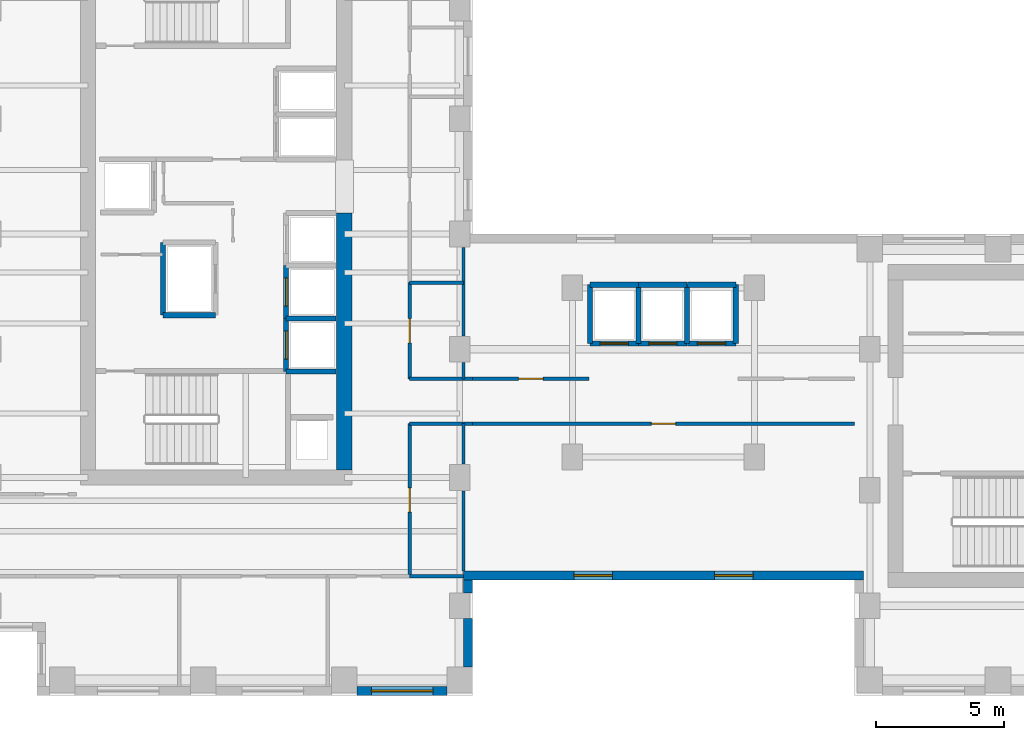
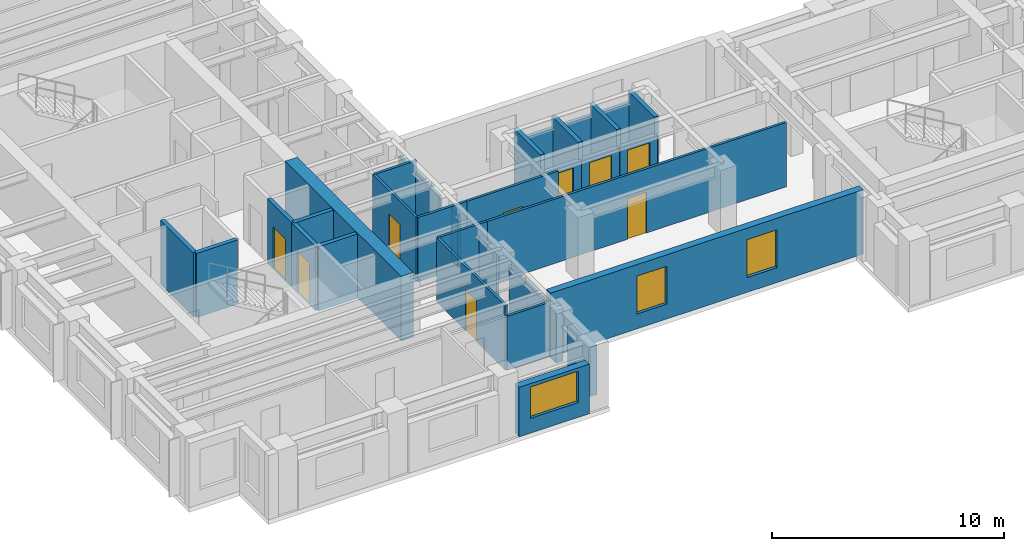
# One storey, part 5 of 13: 33 walls, 9 doors, 3 windows, 12 openings.
"""IFC4 building model written with IfcOpenShell, lengths in metres."""

from ifc_helpers import new_model, si_unit, direction, frame, frame_2d, origin, place, context, subcontext, project, spatial, rectangle, extrude, source, transform, mapped, material, layer, layer_set, type_object, element, fill, save


model = new_model("IFC4")

# Units and contexts
model_context = context("Model", 3, precision=1e-05, world=origin(), true_north=direction((0.0, 1.0)))
body_context = subcontext(model_context, "Body", "Model", "MODEL_VIEW")
ifc_project = project(units=[si_unit("LENGTHUNIT", "METRE"), si_unit("AREAUNIT", "SQUARE_METRE"), si_unit("VOLUMEUNIT", "CUBIC_METRE"), si_unit("PLANEANGLEUNIT", "RADIAN"), si_unit("MASSUNIT", "GRAM", prefix="KILO")], contexts=[model_context])

# Site, building, storey
site_placement = place(None, origin())
site = spatial("IfcSite", under=ifc_project, at=site_placement, CompositionType="ELEMENT")
building_placement = place(site_placement, origin())
building = spatial("IfcBuilding", under=site, at=building_placement, Name="Kharzan Plaza Tower", CompositionType="ELEMENT")
storey_placement = place(building_placement, frame((0.0, 0.0, 143.10009765625)))
storey = spatial("IfcBuildingStorey", under=building, at=storey_placement, Name="L38", CompositionType="ELEMENT", Elevation=143.10009765625)

# Wall, opening, window
ifc_material_1 = material(Name="Concrete C40/50", Category="concrete")
ifc_layer_1 = layer(ifc_material_1, 0.35009765625)
ifc_layer_set_1 = layer_set([ifc_layer_1], Name="Concrete C40/50")
wall_type_1 = type_object("IfcWallType", Name="WL-EXT-MAS-Z3", PredefinedType="SOLIDWALL", material=ifc_layer_set_1)
wall_1_placement = place(storey_placement, frame((14.998046875, 0.175048828125, 0.0), z_axis=(0.0, 0.0, 1.0), x_axis=(1.0, 0.0, 0.0)))
wall_1 = element("IfcWall", 1, at=wall_1_placement, inside=storey, type_object=wall_type_1, Name="L38 Masonry-Frame Exterior Wall 24", PredefinedType="SOLIDWALL", context=body_context, shape_type="SweptSolid", body=[
    extrude(rectangle(XDim=3.50390625, YDim=0.35009765625, at=frame_2d((1.751953125, 0.0))), origin(), (0.0, 0.0, 1.0), 2.61181640625),
])
opening_1_placement = place(wall_1_placement, frame((0.552001953125, 0.0, 0.780029296875)))
opening_1 = element("IfcOpeningElement", 2, at=opening_1_placement, cuts=wall_1, Name="Opening W2", PredefinedType="OPENING", context=body_context, shape_type="SweptSolid", body=[
    extrude(rectangle(XDim=2.39990234375, YDim=1.652099609375, at=frame_2d((1.199951171875, 0.826171875))), frame((0.0, 0.18505859375, 0.0), z_axis=(0.0, -1.0, 0.0), x_axis=(1.0, 0.0, 0.0)), (0.0, 0.0, 1.0), 0.3701171875),
])
ifc_material_2 = material(Name="Low-E Double Glazing", Category="glass")
window_type_1 = type_object("IfcWindowType", Name="WN-REC-2400x2100", PartitioningType="SINGLE_PANEL", PredefinedType="WINDOW", material=ifc_material_2)
shared_shape_1 = source(origin(), body_context, "Body", "SweptSolid", [
    extrude(rectangle(XDim=2.39990234375, YDim=1.652099609375, at=frame_2d((1.199951171875, 0.826171875))), frame((0.0, 0.030029296875, 0.0), z_axis=(0.0, -1.0, 0.0), x_axis=(1.0, 0.0, 0.0)), (0.0, 0.0, 1.0), 0.06005859375),
])
window_1_placement = place(opening_1_placement, origin())
window_1 = element("IfcWindow", 3, at=window_1_placement, inside=storey, type_object=window_type_1, Name="L38 Wide Recessed Solar-Control Window 24-1", OverallHeight=1.652099609375, OverallWidth=2.39990234375, PartitioningType="SINGLE_PANEL", PredefinedType="WINDOW", context=body_context, shape_type="MappedRepresentation", body=[
    mapped(shared_shape_1, transform((0.0, 0.0, 0.0), x_axis=(1.0, 0.0, 0.0), y_axis=(0.0, 1.0, 0.0), z_axis=(0.0, 0.0, 1.0))),
])
fill(opening_1, window_1)

# Wall, openings, windows
wall_2_placement = place(storey_placement, frame((19.14990234375, 4.675048828125, 0.0), z_axis=(0.0, 0.0, 1.0), x_axis=(1.0, 0.0, 0.0)))
wall_2 = element("IfcWall", 4, at=wall_2_placement, inside=storey, type_object=wall_type_1, Name="L38 Masonry-Frame Exterior Wall 27", PredefinedType="SOLIDWALL", context=body_context, shape_type="SweptSolid", body=[
    extrude(rectangle(XDim=15.60009765625, YDim=0.35009765625, at=frame_2d((7.800048828125, 0.0))), origin(), (0.0, 0.0, 1.0), 3.385009765625),
])
opening_2_placement = place(wall_2_placement, frame((4.306640625, 0.0, 0.780029296875)))
opening_2 = element("IfcOpeningElement", 5, at=opening_2_placement, cuts=wall_2, Name="Opening W5", PredefinedType="OPENING", context=body_context, shape_type="SweptSolid", body=[
    extrude(rectangle(XDim=1.5, YDim=2.0, at=frame_2d((0.75, 1.0))), frame((0.0, 0.18505859375, 0.0), z_axis=(0.0, -1.0, 0.0), x_axis=(1.0, 0.0, 0.0)), (0.0, 0.0, 1.0), 0.3701171875),
])
opening_3_placement = place(wall_2_placement, frame((9.793212890625, 0.0, 0.780029296875)))
opening_3 = element("IfcOpeningElement", 6, at=opening_3_placement, cuts=wall_2, Name="Opening W5", PredefinedType="OPENING", context=body_context, shape_type="SweptSolid", body=[
    extrude(rectangle(XDim=1.5, YDim=2.0, at=frame_2d((0.75, 1.0))), frame((0.0, 0.18505859375, 0.0), z_axis=(0.0, -1.0, 0.0), x_axis=(1.0, 0.0, 0.0)), (0.0, 0.0, 1.0), 0.3701171875),
])
window_type_2 = type_object("IfcWindowType", Name="WN-SLT-1500x2000", PartitioningType="SINGLE_PANEL", PredefinedType="WINDOW", material=ifc_material_2)
shared_shape_2 = source(origin(), body_context, "Body", "SweptSolid", [
    extrude(rectangle(XDim=1.5, YDim=2.0, at=frame_2d((0.75, 1.0))), frame((0.0, 0.030029296875, 0.0), z_axis=(0.0, -1.0, 0.0), x_axis=(1.0, 0.0, 0.0)), (0.0, 0.0, 1.0), 0.06005859375),
])
window_2_placement = place(opening_2_placement, origin())
window_2 = element("IfcWindow", 7, at=window_2_placement, inside=storey, type_object=window_type_2, Name="L38 Recessed Solar-Control Window 27-1", OverallHeight=2.0, OverallWidth=1.5, PartitioningType="SINGLE_PANEL", PredefinedType="WINDOW", context=body_context, shape_type="MappedRepresentation", body=[
    mapped(shared_shape_2, transform((0.0, 0.0, 0.0), x_axis=(1.0, 0.0, 0.0), y_axis=(0.0, 1.0, 0.0), z_axis=(0.0, 0.0, 1.0))),
])
fill(opening_2, window_2)
window_3_placement = place(opening_3_placement, origin())
window_3 = element("IfcWindow", 8, at=window_3_placement, inside=storey, type_object=window_type_2, Name="L38 Recessed Solar-Control Window 27-2", OverallHeight=2.0, OverallWidth=1.5, PartitioningType="SINGLE_PANEL", PredefinedType="WINDOW", context=body_context, shape_type="MappedRepresentation", body=[
    mapped(shared_shape_2, transform((0.0, 0.0, 0.0), x_axis=(1.0, 0.0, 0.0), y_axis=(0.0, 1.0, 0.0), z_axis=(0.0, 0.0, 1.0))),
])
fill(opening_3, window_3)

# Wall, opening, door
ifc_material_3 = material(Name="Fire-Rated Gypsum Board Partition", Category="gypsum")
ifc_layer_2 = layer(ifc_material_3, 0.125)
ifc_layer_set_2 = layer_set([ifc_layer_2], Name="Fire-Rated Gypsum Board Partition")
wall_type_2 = type_object("IfcWallType", Name="WL-INT-PART-125", PredefinedType="PARTITIONING", material=ifc_layer_set_2)
wall_3_placement = place(storey_placement, frame((17.050048828125, 12.35009765625, 0.0), z_axis=(0.0, 0.0, 1.0), x_axis=(0.0, 1.0, 0.0)))
wall_3 = element("IfcWall", 9, at=wall_3_placement, inside=storey, type_object=wall_type_2, Name="L38 Interior Partition SH-AEWN1", PredefinedType="PARTITIONING", context=body_context, shape_type="SweptSolid", body=[
    extrude(rectangle(XDim=3.75, YDim=0.125, at=frame_2d((1.875, 0.0))), origin(), (0.0, 0.0, 1.0), 3.385009765625),
])
opening_4_placement = place(wall_3_placement, frame((1.39990234375, 0.0, 0.0)))
opening_4 = element("IfcOpeningElement", 10, at=opening_4_placement, cuts=wall_3, Name="Opening OD1", PredefinedType="OPENING", context=body_context, shape_type="SweptSolid", body=[
    extrude(rectangle(XDim=0.949951171875, YDim=2.14990234375, at=frame_2d((0.47509765625, 1.074951171875))), frame((0.0, 0.072509765625, 0.0), z_axis=(0.0, -1.0, 0.0), x_axis=(1.0, 0.0, 0.0)), (0.0, 0.0, 1.0), 0.14501953125),
])
ifc_material_4 = material(Name="Acoustic Solid-Core Stained Oak", Category="timber")
door_type_1 = type_object("IfcDoorType", Name="DR-OFF-SINGLE", OperationType="NOTDEFINED", PredefinedType="DOOR", material=ifc_material_4)
shared_shape_3 = source(origin(), body_context, "Body", "SweptSolid", [
    extrude(rectangle(XDim=0.949951171875, YDim=2.14990234375, at=frame_2d((0.47509765625, 1.074951171875))), frame((0.0, 0.02490234375, 0.0), z_axis=(0.0, -1.0, 0.0), x_axis=(1.0, 0.0, 0.0)), (0.0, 0.0, 1.0), 0.050048828125),
])
door_1_placement = place(opening_4_placement, origin())
door_1 = element("IfcDoor", 11, at=door_1_placement, inside=storey, type_object=door_type_1, Name="L38 Slot Collaboration Door", OperationType="SINGLE_SWING_RIGHT", OverallHeight=2.14990234375, OverallWidth=0.949951171875, PredefinedType="DOOR", context=body_context, shape_type="MappedRepresentation", body=[
    mapped(shared_shape_3, transform((0.0, 0.0, 0.0), x_axis=(1.0, 0.0, 0.0), y_axis=(0.0, 1.0, 0.0), z_axis=(0.0, 0.0, 1.0))),
])
fill(opening_4, door_1)

wall_4_placement = place(storey_placement, frame((17.050048828125, 4.64990234375, 0.0), z_axis=(0.0, 0.0, 1.0), x_axis=(0.0, 1.0, 0.0)))
wall_4 = element("IfcWall", 12, at=wall_4_placement, inside=storey, type_object=wall_type_2, Name="L38 Interior Partition SH-AEWS", PredefinedType="PARTITIONING", context=body_context, shape_type="SweptSolid", body=[
    extrude(rectangle(XDim=5.9501953125, YDim=0.125, at=frame_2d((2.97509765625, 0.0))), origin(), (0.0, 0.0, 1.0), 3.385009765625),
])
opening_5_placement = place(wall_4_placement, frame((2.5, 0.0, 0.0)))
opening_5 = element("IfcOpeningElement", 13, at=opening_5_placement, cuts=wall_4, Name="Opening OD1", PredefinedType="OPENING", context=body_context, shape_type="SweptSolid", body=[
    extrude(rectangle(XDim=0.949951171875, YDim=2.14990234375, at=frame_2d((0.47509765625, 1.074951171875))), frame((0.0, 0.072509765625, 0.0), z_axis=(0.0, -1.0, 0.0), x_axis=(1.0, 0.0, 0.0)), (0.0, 0.0, 1.0), 0.14501953125),
])
door_2_placement = place(opening_5_placement, origin())
door_2 = element("IfcDoor", 14, at=door_2_placement, inside=storey, type_object=door_type_1, Name="L38 Slot South Office Door", OperationType="SINGLE_SWING_LEFT", OverallHeight=2.14990234375, OverallWidth=0.949951171875, PredefinedType="DOOR", context=body_context, shape_type="MappedRepresentation", body=[
    mapped(shared_shape_3, transform((0.0, 0.0, 0.0), x_axis=(1.0, 0.0, 0.0), y_axis=(0.0, 1.0, 0.0), z_axis=(0.0, 0.0, 1.0))),
])
fill(opening_5, door_2)

wall_5_placement = place(storey_placement, frame((19.5, 12.35009765625, 0.0), z_axis=(0.0, 0.0, 1.0), x_axis=(1.0, 0.0, 0.0)))
wall_5 = element("IfcWall", 15, at=wall_5_placement, inside=storey, type_object=wall_type_2, Name="L38 Interior Partition SH-SPNW1", PredefinedType="PARTITIONING", context=body_context, shape_type="SweptSolid", body=[
    extrude(rectangle(XDim=4.550048828125, YDim=0.125, at=frame_2d((2.27490234375, 0.0))), origin(), (0.0, 0.0, 1.0), 3.385009765625),
])
opening_6_placement = place(wall_5_placement, frame((1.800048828125, 0.0, 0.0)))
opening_6 = element("IfcOpeningElement", 16, at=opening_6_placement, cuts=wall_5, Name="Opening OD1", PredefinedType="OPENING", context=body_context, shape_type="SweptSolid", body=[
    extrude(rectangle(XDim=0.949951171875, YDim=2.14990234375, at=frame_2d((0.47509765625, 1.074951171875))), frame((0.0, 0.072509765625, 0.0), z_axis=(0.0, -1.0, 0.0), x_axis=(1.0, 0.0, 0.0)), (0.0, 0.0, 1.0), 0.14501953125),
])
door_3_placement = place(opening_6_placement, origin())
door_3 = element("IfcDoor", 17, at=door_3_placement, inside=storey, type_object=door_type_1, Name="L38 North-West Spine Door", OperationType="SINGLE_SWING_LEFT", OverallHeight=2.14990234375, OverallWidth=0.949951171875, PredefinedType="DOOR", context=body_context, shape_type="MappedRepresentation", body=[
    mapped(shared_shape_3, transform((0.0, 0.0, 0.0), x_axis=(1.0, 0.0, 0.0), y_axis=(0.0, 1.0, 0.0), z_axis=(0.0, 0.0, 1.0))),
])
fill(opening_6, door_3)

wall_6_placement = place(storey_placement, frame((19.5, 10.60009765625, 0.0), z_axis=(0.0, 0.0, 1.0), x_axis=(1.0, 0.0, 0.0)))
wall_6 = element("IfcWall", 18, at=wall_6_placement, inside=storey, type_object=wall_type_2, Name="L38 Interior Partition SH-SPS1", PredefinedType="PARTITIONING", context=body_context, shape_type="SweptSolid", body=[
    extrude(rectangle(XDim=14.89990234375, YDim=0.125, at=frame_2d((7.449951171875, 0.0))), origin(), (0.0, 0.0, 1.0), 3.385009765625),
])
opening_7_placement = place(wall_6_placement, frame((6.97509765625, 0.0, 0.0)))
opening_7 = element("IfcOpeningElement", 19, at=opening_7_placement, cuts=wall_6, Name="Opening OD1", PredefinedType="OPENING", context=body_context, shape_type="SweptSolid", body=[
    extrude(rectangle(XDim=0.949951171875, YDim=2.14990234375, at=frame_2d((0.47509765625, 1.074951171875))), frame((0.0, 0.072509765625, 0.0), z_axis=(0.0, -1.0, 0.0), x_axis=(1.0, 0.0, 0.0)), (0.0, 0.0, 1.0), 0.14501953125),
])
door_4_placement = place(opening_7_placement, origin())
door_4 = element("IfcDoor", 20, at=door_4_placement, inside=storey, type_object=door_type_1, Name="L38 South Spine Studio Door", OperationType="SINGLE_SWING_RIGHT", OverallHeight=2.14990234375, OverallWidth=0.949951171875, PredefinedType="DOOR", context=body_context, shape_type="MappedRepresentation", body=[
    mapped(shared_shape_3, transform((0.0, 0.0, 0.0), x_axis=(1.0, 0.0, 0.0), y_axis=(0.0, 1.0, 0.0), z_axis=(0.0, 0.0, 1.0))),
])
fill(opening_7, door_4)

ifc_layer_3 = layer(ifc_material_1, 0.199951171875)
ifc_layer_set_3 = layer_set([ifc_layer_3], Name="Concrete C40/50")
wall_type_3 = type_object("IfcWallType", Name="WL-INT-SHAFT-200", PredefinedType="PARTITIONING", material=ifc_layer_set_3)
wall_7_placement = place(storey_placement, frame((12.22998046875, 12.6298828125, 0.0), z_axis=(0.0, 0.0, 1.0), x_axis=(0.0, 1.0, 0.0)))
wall_7 = element("IfcWall", 21, at=wall_7_placement, inside=storey, type_object=wall_type_3, Name="L38 Interior Partition SHF-PL-H1-W", PredefinedType="PARTITIONING", context=body_context, shape_type="SweptSolid", body=[
    extrude(rectangle(XDim=2.070068359375, YDim=0.199951171875, at=frame_2d((1.03515625, 0.0))), origin(), (0.0, 0.0, 1.0), 3.385009765625),
])
opening_8_placement = place(wall_7_placement, frame((0.485107421875, 0.0, 0.0)))
opening_8 = element("IfcOpeningElement", 22, at=opening_8_placement, cuts=wall_7, Name="Opening LD", PredefinedType="OPENING", context=body_context, shape_type="SweptSolid", body=[
    extrude(rectangle(XDim=1.10009765625, YDim=2.199951171875, at=frame_2d((0.550048828125, 1.10009765625))), frame((0.0, 0.10986328125, 0.0), z_axis=(0.0, -1.0, 0.0), x_axis=(1.0, 0.0, 0.0)), (0.0, 0.0, 1.0), 0.219970703125),
])
ifc_material_5 = material(Name="Brushed Stainless Steel", Category="steel")
door_type_2 = type_object("IfcDoorType", Name="DR-LIFT-SLIDE", OperationType="SLIDING_TO_LEFT", PredefinedType="DOOR", material=ifc_material_5)
shared_shape_4 = source(origin(), body_context, "Body", "SweptSolid", [
    extrude(rectangle(XDim=1.10009765625, YDim=2.199951171875, at=frame_2d((0.550048828125, 1.10009765625))), frame((0.0, 0.02490234375, 0.0), z_axis=(0.0, -1.0, 0.0), x_axis=(1.0, 0.0, 0.0)), (0.0, 0.0, 1.0), 0.050048828125),
])
door_5_placement = place(opening_8_placement, origin())
door_5 = element("IfcDoor", 23, at=door_5_placement, inside=storey, type_object=door_type_2, Name="L38 High-Rise Passenger Lift PL-H1 Sliding Landing Door", OperationType="SLIDING_TO_LEFT", OverallHeight=2.199951171875, OverallWidth=1.10009765625, PredefinedType="DOOR", context=body_context, shape_type="MappedRepresentation", body=[
    mapped(shared_shape_4, transform((0.0, 0.0, 0.0), x_axis=(1.0, 0.0, 0.0), y_axis=(0.0, 1.0, 0.0), z_axis=(0.0, 0.0, 1.0))),
])
fill(opening_8, door_5)

wall_8_placement = place(storey_placement, frame((12.22998046875, 14.699951171875, 0.0), z_axis=(0.0, 0.0, 1.0), x_axis=(0.0, 1.0, 0.0)))
wall_8 = element("IfcWall", 24, at=wall_8_placement, inside=storey, type_object=wall_type_3, Name="L38 Interior Partition SHF-PL-H2-W", PredefinedType="PARTITIONING", context=body_context, shape_type="SweptSolid", body=[
    extrude(rectangle(XDim=2.070068359375, YDim=0.199951171875, at=frame_2d((1.03515625, 0.0))), origin(), (0.0, 0.0, 1.0), 3.385009765625),
])
opening_9_placement = place(wall_8_placement, frame((0.485107421875, 0.0, 0.0)))
opening_9 = element("IfcOpeningElement", 25, at=opening_9_placement, cuts=wall_8, Name="Opening LD", PredefinedType="OPENING", context=body_context, shape_type="SweptSolid", body=[
    extrude(rectangle(XDim=1.10009765625, YDim=2.199951171875, at=frame_2d((0.550048828125, 1.10009765625))), frame((0.0, 0.10986328125, 0.0), z_axis=(0.0, -1.0, 0.0), x_axis=(1.0, 0.0, 0.0)), (0.0, 0.0, 1.0), 0.219970703125),
])
door_6_placement = place(opening_9_placement, origin())
door_6 = element("IfcDoor", 26, at=door_6_placement, inside=storey, type_object=door_type_2, Name="L38 High-Rise Passenger Lift PL-H2 Sliding Landing Door", OperationType="SLIDING_TO_LEFT", OverallHeight=2.199951171875, OverallWidth=1.10009765625, PredefinedType="DOOR", context=body_context, shape_type="MappedRepresentation", body=[
    mapped(shared_shape_4, transform((0.0, 0.0, 0.0), x_axis=(1.0, 0.0, 0.0), y_axis=(0.0, 1.0, 0.0), z_axis=(0.0, 0.0, 1.0))),
])
fill(opening_9, door_6)

wall_9_placement = place(storey_placement, frame((24.080078125, 13.72998046875, 0.0), z_axis=(0.0, 0.0, 1.0), x_axis=(1.0, 0.0, 0.0)))
wall_9 = element("IfcWall", 27, at=wall_9_placement, inside=storey, type_object=wall_type_3, Name="L38 Interior Partition SHF-PL-M1-S", PredefinedType="PARTITIONING", context=body_context, shape_type="SweptSolid", body=[
    extrude(rectangle(XDim=1.889892578125, YDim=0.199951171875, at=frame_2d((0.94482421875, 0.0))), origin(), (0.0, 0.0, 1.0), 2.4658203125),
])
opening_10_placement = place(wall_9_placement, frame((0.39501953125, 0.0, 0.0)))
opening_10 = element("IfcOpeningElement", 28, at=opening_10_placement, cuts=wall_9, Name="Opening LD", PredefinedType="OPENING", context=body_context, shape_type="SweptSolid", body=[
    extrude(rectangle(XDim=1.10009765625, YDim=2.199951171875, at=frame_2d((0.550048828125, 1.10009765625))), frame((0.0, 0.10986328125, 0.0), z_axis=(0.0, -1.0, 0.0), x_axis=(1.0, 0.0, 0.0)), (0.0, 0.0, 1.0), 0.219970703125),
])
door_7_placement = place(opening_10_placement, origin())
door_7 = element("IfcDoor", 29, at=door_7_placement, inside=storey, type_object=door_type_2, Name="L38 Mid-Rise Passenger Lift PL-M1 Sliding Landing Door", OperationType="SLIDING_TO_LEFT", OverallHeight=2.199951171875, OverallWidth=1.10009765625, PredefinedType="DOOR", context=body_context, shape_type="MappedRepresentation", body=[
    mapped(shared_shape_4, transform((0.0, 0.0, 0.0), x_axis=(1.0, 0.0, 0.0), y_axis=(0.0, 1.0, 0.0), z_axis=(0.0, 0.0, 1.0))),
])
fill(opening_10, door_7)

wall_10_placement = place(storey_placement, frame((25.97998046875, 13.72998046875, 0.0), z_axis=(0.0, 0.0, 1.0), x_axis=(1.0, 0.0, 0.0)))
wall_10 = element("IfcWall", 30, at=wall_10_placement, inside=storey, type_object=wall_type_3, Name="L38 Interior Partition SHF-PL-M2-S", PredefinedType="PARTITIONING", context=body_context, shape_type="SweptSolid", body=[
    extrude(rectangle(XDim=1.89013671875, YDim=0.199951171875, at=frame_2d((0.945068359375, 0.0))), origin(), (0.0, 0.0, 1.0), 2.4658203125),
])
opening_11_placement = place(wall_10_placement, frame((0.39501953125, 0.0, 0.0)))
opening_11 = element("IfcOpeningElement", 31, at=opening_11_placement, cuts=wall_10, Name="Opening LD", PredefinedType="OPENING", context=body_context, shape_type="SweptSolid", body=[
    extrude(rectangle(XDim=1.10009765625, YDim=2.199951171875, at=frame_2d((0.550048828125, 1.10009765625))), frame((0.0, 0.10986328125, 0.0), z_axis=(0.0, -1.0, 0.0), x_axis=(1.0, 0.0, 0.0)), (0.0, 0.0, 1.0), 0.219970703125),
])
door_8_placement = place(opening_11_placement, origin())
door_8 = element("IfcDoor", 32, at=door_8_placement, inside=storey, type_object=door_type_2, Name="L38 Mid-Rise Passenger Lift PL-M2 Sliding Landing Door", OperationType="SLIDING_TO_LEFT", OverallHeight=2.199951171875, OverallWidth=1.10009765625, PredefinedType="DOOR", context=body_context, shape_type="MappedRepresentation", body=[
    mapped(shared_shape_4, transform((0.0, 0.0, 0.0), x_axis=(1.0, 0.0, 0.0), y_axis=(0.0, 1.0, 0.0), z_axis=(0.0, 0.0, 1.0))),
])
fill(opening_11, door_8)

wall_11_placement = place(storey_placement, frame((27.8798828125, 13.72998046875, 0.0), z_axis=(0.0, 0.0, 1.0), x_axis=(1.0, 0.0, 0.0)))
wall_11 = element("IfcWall", 33, at=wall_11_placement, inside=storey, type_object=wall_type_3, Name="L38 Interior Partition SHF-PL-M3-S", PredefinedType="PARTITIONING", context=body_context, shape_type="SweptSolid", body=[
    extrude(rectangle(XDim=1.89013671875, YDim=0.199951171875, at=frame_2d((0.945068359375, 0.0))), origin(), (0.0, 0.0, 1.0), 2.4658203125),
])
opening_12_placement = place(wall_11_placement, frame((0.39501953125, 0.0, 0.0)))
opening_12 = element("IfcOpeningElement", 34, at=opening_12_placement, cuts=wall_11, Name="Opening LD", PredefinedType="OPENING", context=body_context, shape_type="SweptSolid", body=[
    extrude(rectangle(XDim=1.10009765625, YDim=2.199951171875, at=frame_2d((0.550048828125, 1.10009765625))), frame((0.0, 0.10986328125, 0.0), z_axis=(0.0, -1.0, 0.0), x_axis=(1.0, 0.0, 0.0)), (0.0, 0.0, 1.0), 0.219970703125),
])
door_9_placement = place(opening_12_placement, origin())
door_9 = element("IfcDoor", 35, at=door_9_placement, inside=storey, type_object=door_type_2, Name="L38 Mid-Rise Passenger Lift PL-M3 Sliding Landing Door", OperationType="SLIDING_TO_LEFT", OverallHeight=2.199951171875, OverallWidth=1.10009765625, PredefinedType="DOOR", context=body_context, shape_type="MappedRepresentation", body=[
    mapped(shared_shape_4, transform((0.0, 0.0, 0.0), x_axis=(1.0, 0.0, 0.0), y_axis=(0.0, 1.0, 0.0), z_axis=(0.0, 0.0, 1.0))),
])
fill(opening_12, door_9)

# Walls
ifc_material_6 = material(Name="Concrete C50/60", Category="concrete")
ifc_layer_4 = layer(ifc_material_6, 0.60009765625)
ifc_layer_set_4 = layer_set([ifc_layer_4], Name="Concrete C50/60")
wall_type_4 = type_object("IfcWallType", Name="WL-CORE-600", PredefinedType="SHEAR", material=ifc_layer_set_4)
shared_shape_5 = source(origin(), body_context, "Body", "SweptSolid", [
    extrude(rectangle(XDim=10.02001953125, YDim=0.60009765625, at=frame_2d((5.010009765625, 0.0))), origin(), (0.0, 0.0, 1.0), 3.39990234375),
])
wall_12_placement = place(storey_placement, frame((14.5, 8.800048828125, 0.0), z_axis=(0.0, 0.0, 1.0), x_axis=(0.0, 1.0, 0.0)))
element("IfcWall", 36, at=wall_12_placement, inside=storey, type_object=wall_type_4, Name="L38 CORE-A east shear pier 1", PredefinedType="SHEAR", context=body_context, shape_type="MappedRepresentation", body=[
    mapped(shared_shape_5, transform((0.0, 0.0, 0.0), x_axis=(1.0, 0.0, 0.0), y_axis=(0.0, 1.0, 0.0), z_axis=(0.0, 0.0, 1.0))),
])
shared_shape_6 = source(origin(), body_context, "Body", "SweptSolid", [
    extrude(rectangle(XDim=1.904052734375, YDim=0.35009765625, at=frame_2d((0.9521484375, 0.0))), origin(), (0.0, 0.0, 1.0), 2.61181640625),
])
wall_13_placement = place(storey_placement, frame((19.324951171875, 1.097900390625, 0.0), z_axis=(0.0, 0.0, 1.0), x_axis=(0.0, 1.0, 0.0)))
element("IfcWall", 37, at=wall_13_placement, inside=storey, type_object=wall_type_1, Name="L38 Masonry-Frame Exterior Wall 25", PredefinedType="SOLIDWALL", context=body_context, shape_type="MappedRepresentation", body=[
    mapped(shared_shape_6, transform((0.0, 0.0, 0.0), x_axis=(1.0, 0.0, 0.0), y_axis=(0.0, 1.0, 0.0), z_axis=(0.0, 0.0, 1.0))),
])
shared_shape_7 = source(origin(), body_context, "Body", "SweptSolid", [
    extrude(rectangle(XDim=0.50390625, YDim=0.35009765625, at=frame_2d((0.251953125, 0.0))), origin(), (0.0, 0.0, 1.0), 2.77294921875),
])
wall_14_placement = place(storey_placement, frame((19.324951171875, 3.998046875, 0.0), z_axis=(0.0, 0.0, 1.0), x_axis=(0.0, 1.0, 0.0)))
element("IfcWall", 38, at=wall_14_placement, inside=storey, type_object=wall_type_1, Name="L38 Masonry-Frame Exterior Wall 26", PredefinedType="SOLIDWALL", context=body_context, shape_type="MappedRepresentation", body=[
    mapped(shared_shape_7, transform((0.0, 0.0, 0.0), x_axis=(1.0, 0.0, 0.0), y_axis=(0.0, 1.0, 0.0), z_axis=(0.0, 0.0, 1.0))),
])
shared_shape_8 = source(origin(), body_context, "Body", "SweptSolid", [
    extrude(rectangle(XDim=2.099853515625, YDim=0.125, at=frame_2d((1.0498046875, 0.0))), origin(), (0.0, 0.0, 1.0), 3.385009765625),
])
wall_15_placement = place(storey_placement, frame((17.050048828125, 16.10009765625, 0.0), z_axis=(0.0, 0.0, 1.0), x_axis=(1.0, 0.0, 0.0)))
element("IfcWall", 39, at=wall_15_placement, inside=storey, type_object=wall_type_2, Name="L38 Interior Partition SH-AEH-161", PredefinedType="PARTITIONING", context=body_context, shape_type="MappedRepresentation", body=[
    mapped(shared_shape_8, transform((0.0, 0.0, 0.0), x_axis=(1.0, 0.0, 0.0), y_axis=(0.0, 1.0, 0.0), z_axis=(0.0, 0.0, 1.0))),
])
shared_shape_9 = source(origin(), body_context, "Body", "SweptSolid", [
    extrude(rectangle(XDim=0.6298828125, YDim=0.125, at=frame_2d((0.31494140625, 0.0))), origin(), (0.0, 0.0, 1.0), 2.77294921875),
])
wall_16_placement = place(storey_placement, frame((19.14990234375, 12.35009765625, 0.0), z_axis=(0.0, 0.0, 1.0), x_axis=(0.0, 1.0, 0.0)))
element("IfcWall", 40, at=wall_16_placement, inside=storey, type_object=wall_type_2, Name="L38 Interior Partition SH-AEN-DIV-S1", PredefinedType="PARTITIONING", context=body_context, shape_type="MappedRepresentation", body=[
    mapped(shared_shape_9, transform((0.0, 0.0, 0.0), x_axis=(1.0, 0.0, 0.0), y_axis=(0.0, 1.0, 0.0), z_axis=(0.0, 0.0, 1.0))),
])
shared_shape_10 = source(origin(), body_context, "Body", "SweptSolid", [
    extrude(rectangle(XDim=3.4599609375, YDim=0.125, at=frame_2d((1.72998046875, 0.0))), origin(), (0.0, 0.0, 1.0), 2.77294921875),
])
wall_17_placement = place(storey_placement, frame((19.14990234375, 14.02001953125, 0.0), z_axis=(0.0, 0.0, 1.0), x_axis=(0.0, 1.0, 0.0)))
element("IfcWall", 41, at=wall_17_placement, inside=storey, type_object=wall_type_2, Name="L38 Interior Partition SH-AEN-DIV-S2", PredefinedType="PARTITIONING", context=body_context, shape_type="MappedRepresentation", body=[
    mapped(shared_shape_10, transform((0.0, 0.0, 0.0), x_axis=(1.0, 0.0, 0.0), y_axis=(0.0, 1.0, 0.0), z_axis=(0.0, 0.0, 1.0))),
])
shared_shape_11 = source(origin(), body_context, "Body", "SweptSolid", [
    extrude(rectangle(XDim=3.1279296875, YDim=0.125, at=frame_2d((1.56396484375, 0.0))), origin(), (0.0, 0.0, 1.0), 2.77294921875),
])
wall_18_placement = place(storey_placement, frame((19.14990234375, 4.85205078125, 0.0), z_axis=(0.0, 0.0, 1.0), x_axis=(0.0, 1.0, 0.0)))
element("IfcWall", 42, at=wall_18_placement, inside=storey, type_object=wall_type_2, Name="L38 Interior Partition SH-AESP-DIV-S1", PredefinedType="PARTITIONING", context=body_context, shape_type="MappedRepresentation", body=[
    mapped(shared_shape_11, transform((0.0, 0.0, 0.0), x_axis=(1.0, 0.0, 0.0), y_axis=(0.0, 1.0, 0.0), z_axis=(0.0, 0.0, 1.0))),
])
shared_shape_12 = source(origin(), body_context, "Body", "SweptSolid", [
    extrude(rectangle(XDim=1.580078125, YDim=0.125, at=frame_2d((0.7900390625, 0.0))), origin(), (0.0, 0.0, 1.0), 2.77294921875),
])
wall_19_placement = place(storey_placement, frame((19.14990234375, 9.02001953125, 0.0), z_axis=(0.0, 0.0, 1.0), x_axis=(0.0, 1.0, 0.0)))
element("IfcWall", 43, at=wall_19_placement, inside=storey, type_object=wall_type_2, Name="L38 Interior Partition SH-AESP-DIV-S2", PredefinedType="PARTITIONING", context=body_context, shape_type="MappedRepresentation", body=[
    mapped(shared_shape_12, transform((0.0, 0.0, 0.0), x_axis=(1.0, 0.0, 0.0), y_axis=(0.0, 1.0, 0.0), z_axis=(0.0, 0.0, 1.0))),
])
shared_shape_13 = source(origin(), body_context, "Body", "SweptSolid", [
    extrude(rectangle(XDim=2.449951171875, YDim=0.125, at=frame_2d((1.22509765625, 0.0))), origin(), (0.0, 0.0, 1.0), 3.385009765625),
])
for number, where, z_axis, x_axis, name in (
    (44, (17.050048828125, 12.35009765625, 0.0), (0.0, 0.0, 1.0), (1.0, 0.0, 0.0), "L38 Interior Partition SH-SPNW0"),
    (45, (17.050048828125, 10.60009765625, 0.0), (0.0, 0.0, 1.0), (1.0, 0.0, 0.0), "L38 Interior Partition SH-SPS0"),
):
    element("IfcWall", number, at=place(storey_placement, frame(where, z_axis=z_axis, x_axis=x_axis)), inside=storey, type_object=wall_type_2, Name=name, PredefinedType="PARTITIONING", context=body_context, shape_type="MappedRepresentation", body=[
        mapped(shared_shape_13, transform((0.0, 0.0, 0.0), x_axis=(1.0, 0.0, 0.0), y_axis=(0.0, 1.0, 0.0), z_axis=(0.0, 0.0, 1.0))),
    ])
shared_shape_14 = source(origin(), body_context, "Body", "SweptSolid", [
    extrude(rectangle(XDim=2.099853515625, YDim=0.125, at=frame_2d((1.0498046875, 0.0))), origin(), (0.0, 0.0, 1.0), 2.847900390625),
])
wall_20_placement = place(storey_placement, frame((17.050048828125, 4.64990234375, 0.0), z_axis=(0.0, 0.0, 1.0), x_axis=(1.0, 0.0, 0.0)))
element("IfcWall", 46, at=wall_20_placement, inside=storey, type_object=wall_type_2, Name="L38 Interior Partition SH-SSE-3", PredefinedType="PARTITIONING", context=body_context, shape_type="MappedRepresentation", body=[
    mapped(shared_shape_14, transform((0.0, 0.0, 0.0), x_axis=(1.0, 0.0, 0.0), y_axis=(0.0, 1.0, 0.0), z_axis=(0.0, 0.0, 1.0))),
])
shared_shape_15 = source(origin(), body_context, "Body", "SweptSolid", [
    extrude(rectangle(XDim=1.93994140625, YDim=0.199951171875, at=frame_2d((0.969970703125, 0.0))), origin(), (0.0, 0.0, 1.0), 3.385009765625),
])
for number, where, z_axis, x_axis, name in (
    (47, (12.22998046875, 14.699951171875, 0.0), (0.0, 0.0, 1.0), (1.0, 0.0, 0.0), "L38 Interior Partition SHF-PL-H1-N"),
    (48, (12.22998046875, 12.6298828125, 0.0), (0.0, 0.0, 1.0), (1.0, 0.0, 0.0), "L38 Interior Partition SHF-PL-H1-S"),
):
    element("IfcWall", number, at=place(storey_placement, frame(where, z_axis=z_axis, x_axis=x_axis)), inside=storey, type_object=wall_type_3, Name=name, PredefinedType="PARTITIONING", context=body_context, shape_type="MappedRepresentation", body=[
        mapped(shared_shape_15, transform((0.0, 0.0, 0.0), x_axis=(1.0, 0.0, 0.0), y_axis=(0.0, 1.0, 0.0), z_axis=(0.0, 0.0, 1.0))),
    ])
shared_shape_16 = source(origin(), body_context, "Body", "SweptSolid", [
    extrude(rectangle(XDim=2.2900390625, YDim=0.199951171875, at=frame_2d((1.14501953125, 0.0))), origin(), (0.0, 0.0, 1.0), 3.385009765625),
])
for number, where, z_axis, x_axis, name in (
    (49, (25.969970703125, 13.72998046875, 0.0), (0.0, 0.0, 1.0), (0.0, 1.0, 0.0), "L38 Interior Partition SHF-PL-M1-E"),
    (50, (24.080078125, 13.72998046875, 0.0), (0.0, 0.0, 1.0), (0.0, 1.0, 0.0), "L38 Interior Partition SHF-PL-M1-W"),
    (51, (27.8701171875, 13.72998046875, 0.0), (0.0, 0.0, 1.0), (0.0, 1.0, 0.0), "L38 Interior Partition SHF-PL-M2-E"),
    (52, (29.77001953125, 13.72998046875, 0.0), (0.0, 0.0, 1.0), (0.0, 1.0, 0.0), "L38 Interior Partition SHF-PL-M3-E"),
):
    element("IfcWall", number, at=place(storey_placement, frame(where, z_axis=z_axis, x_axis=x_axis)), inside=storey, type_object=wall_type_3, Name=name, PredefinedType="PARTITIONING", context=body_context, shape_type="MappedRepresentation", body=[
        mapped(shared_shape_16, transform((0.0, 0.0, 0.0), x_axis=(1.0, 0.0, 0.0), y_axis=(0.0, 1.0, 0.0), z_axis=(0.0, 0.0, 1.0))),
    ])
shared_shape_17 = source(origin(), body_context, "Body", "SweptSolid", [
    extrude(rectangle(XDim=1.889892578125, YDim=0.199951171875, at=frame_2d((0.94482421875, 0.0))), origin(), (0.0, 0.0, 1.0), 2.77294921875),
])
wall_21_placement = place(storey_placement, frame((24.080078125, 16.02001953125, 0.0), z_axis=(0.0, 0.0, 1.0), x_axis=(1.0, 0.0, 0.0)))
element("IfcWall", 53, at=wall_21_placement, inside=storey, type_object=wall_type_3, Name="L38 Interior Partition SHF-PL-M1-N", PredefinedType="PARTITIONING", context=body_context, shape_type="MappedRepresentation", body=[
    mapped(shared_shape_17, transform((0.0, 0.0, 0.0), x_axis=(1.0, 0.0, 0.0), y_axis=(0.0, 1.0, 0.0), z_axis=(0.0, 0.0, 1.0))),
])
shared_shape_18 = source(origin(), body_context, "Body", "SweptSolid", [
    extrude(rectangle(XDim=1.89013671875, YDim=0.199951171875, at=frame_2d((0.945068359375, 0.0))), origin(), (0.0, 0.0, 1.0), 2.77294921875),
])
for number, where, z_axis, x_axis, name in (
    (54, (25.97998046875, 16.02001953125, 0.0), (0.0, 0.0, 1.0), (1.0, 0.0, 0.0), "L38 Interior Partition SHF-PL-M2-N"),
    (55, (27.8798828125, 16.02001953125, 0.0), (0.0, 0.0, 1.0), (1.0, 0.0, 0.0), "L38 Interior Partition SHF-PL-M3-N"),
):
    element("IfcWall", number, at=place(storey_placement, frame(where, z_axis=z_axis, x_axis=x_axis)), inside=storey, type_object=wall_type_3, Name=name, PredefinedType="PARTITIONING", context=body_context, shape_type="MappedRepresentation", body=[
        mapped(shared_shape_18, transform((0.0, 0.0, 0.0), x_axis=(1.0, 0.0, 0.0), y_axis=(0.0, 1.0, 0.0), z_axis=(0.0, 0.0, 1.0))),
    ])
shared_shape_19 = source(origin(), body_context, "Body", "SweptSolid", [
    extrude(rectangle(XDim=2.0400390625, YDim=0.199951171875, at=frame_2d((1.02001953125, 0.0))), origin(), (0.0, 0.0, 1.0), 3.385009765625),
])
wall_22_placement = place(storey_placement, frame((7.429931640625, 14.830078125, 0.0), z_axis=(0.0, 0.0, 1.0), x_axis=(1.0, 0.0, 0.0)))
element("IfcWall", 56, at=wall_22_placement, inside=storey, type_object=wall_type_3, Name="L38 Interior Partition SHF-SVL-1-S", PredefinedType="PARTITIONING", context=body_context, shape_type="MappedRepresentation", body=[
    mapped(shared_shape_19, transform((0.0, 0.0, 0.0), x_axis=(1.0, 0.0, 0.0), y_axis=(0.0, 1.0, 0.0), z_axis=(0.0, 0.0, 1.0))),
])
shared_shape_20 = source(origin(), body_context, "Body", "SweptSolid", [
    extrude(rectangle(XDim=2.83984375, YDim=0.199951171875, at=frame_2d((1.419921875, 0.0))), origin(), (0.0, 0.0, 1.0), 3.385009765625),
])
wall_23_placement = place(storey_placement, frame((7.429931640625, 14.830078125, 0.0), z_axis=(0.0, 0.0, 1.0), x_axis=(0.0, 1.0, 0.0)))
element("IfcWall", 57, at=wall_23_placement, inside=storey, type_object=wall_type_3, Name="L38 Interior Partition SHF-SVL-1-W", PredefinedType="PARTITIONING", context=body_context, shape_type="MappedRepresentation", body=[
    mapped(shared_shape_20, transform((0.0, 0.0, 0.0), x_axis=(1.0, 0.0, 0.0), y_axis=(0.0, 1.0, 0.0), z_axis=(0.0, 0.0, 1.0))),
])

save(model, "model.ifc")
